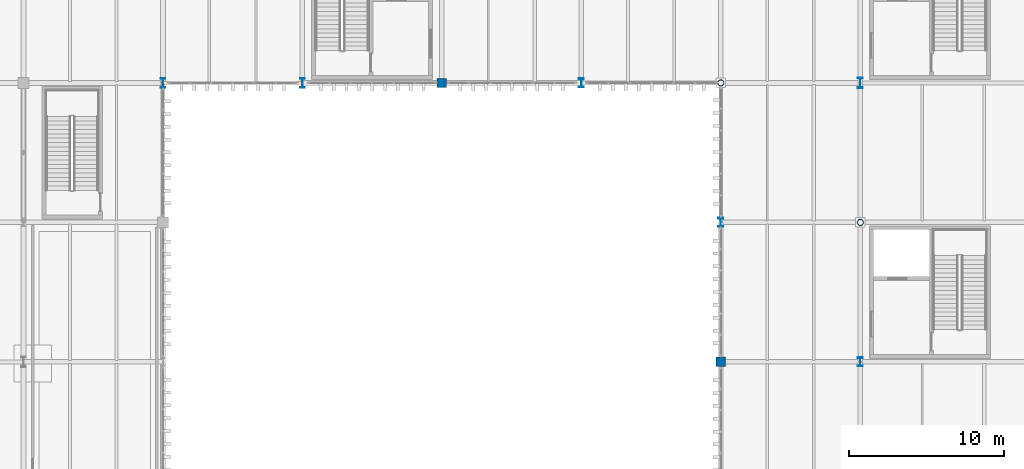
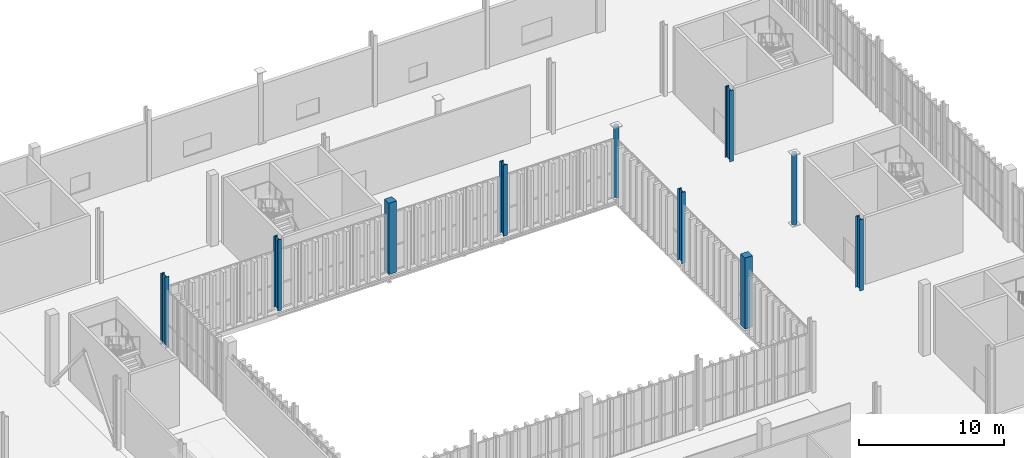
# One storey, part 19 of 211: 10 columns.
"""IFC4 building model written with IfcOpenShell, lengths in metres."""

from ifc_helpers import new_model, si_unit, direction, frame, origin, origin_2d, place, context, subcontext, project, spatial, rectangle, hollow_circle, i_section, extrude, material, material_profile, profile_set, type_object, element, save


model = new_model("IFC4")

# Units and contexts
model_context = context("Model", 3, precision=1e-05, world=origin(), true_north=direction((0.0, 1.0)))
body_context = subcontext(model_context, "Body", "Model", "MODEL_VIEW")
ifc_project = project(units=[si_unit("LENGTHUNIT", "METRE"), si_unit("AREAUNIT", "SQUARE_METRE"), si_unit("VOLUMEUNIT", "CUBIC_METRE"), si_unit("PLANEANGLEUNIT", "RADIAN"), si_unit("MASSUNIT", "GRAM", prefix="KILO")], contexts=[model_context])

# Site, building, storey
site_placement = place(None, origin())
site = spatial("IfcSite", under=ifc_project, at=site_placement, CompositionType="ELEMENT")
building_placement = place(site_placement, origin())
building = spatial("IfcBuilding", under=site, at=building_placement, Name="Barlavento Convention Centre", CompositionType="ELEMENT")
storey_placement = place(building_placement, frame((0.0, 0.0, 6.0)))
storey = spatial("IfcBuildingStorey", under=building, at=storey_placement, Name="L01", CompositionType="ELEMENT", Elevation=6.0)

# Columns
ifc_material_1 = material(Name="Steel S355", Category="steel")
ifc_material_profile_1 = material_profile(ifc_material_1, hollow_circle(Radius=0.203125, WallThickness=0.01611328125, at=origin_2d()), Name="CHS 406.4x16.0")
ifc_profile_set_1 = profile_set([ifc_material_profile_1], Name="Steel S355")
column_type_1 = type_object("IfcColumnType", Name="STR-COL-CHS406", PredefinedType="COLUMN", material=ifc_profile_set_1)
for number, where, z_axis, x_axis, name in (
    (1, (171.0, 90.0, 0.0), (0.0, 0.0, 1.0), (1.0, 0.0, 0.0), "L01 column SC14"),
    (2, (180.0, 81.0, 0.0), (0.0, 0.0, 1.0), (1.0, 0.0, 0.0), "L01 column SC14"),
):
    element("IfcColumn", number, at=place(storey_placement, frame(where, z_axis=z_axis, x_axis=x_axis)), inside=storey, type_object=column_type_1, Name=name, PredefinedType="COLUMN", context=body_context, shape_type="SweptSolid", body=[
        extrude(hollow_circle(Radius=0.203125, WallThickness=0.01611328125, at=origin_2d()), origin(), (0.0, 0.0, 1.0), 6.0),
    ])
ifc_material_profile_2 = material_profile(ifc_material_1, i_section(OverallWidth=0.300048828125, OverallDepth=0.60009765625, WebThickness=0.015380859375, FlangeThickness=0.030029296875, FilletRadius=0.027099609375, at=origin_2d()), Name="HEB 600")
ifc_profile_set_2 = profile_set([ifc_material_profile_2], Name="Steel S355")
column_type_2 = type_object("IfcColumnType", Name="STR-COL-HEB600", PredefinedType="COLUMN", material=ifc_profile_set_2)
column_1_placement = place(storey_placement, frame((144.0, 90.0, 0.0), z_axis=(0.0, 0.0, 1.0), x_axis=(1.0, 0.0, 0.0)))
element("IfcColumn", 3, at=column_1_placement, inside=storey, type_object=column_type_2, Name="L01 column SC08", PredefinedType="COLUMN", context=body_context, shape_type="SweptSolid", body=[
    extrude(i_section(OverallWidth=0.300048828125, OverallDepth=0.60009765625, WebThickness=0.015380859375, FlangeThickness=0.030029296875, FilletRadius=0.027099609375, at=origin_2d()), origin(), (0.0, 0.0, 1.0), 6.0),
])
ifc_material_profile_3 = material_profile(ifc_material_1, i_section(OverallWidth=0.305908203125, OverallDepth=0.572021484375, WebThickness=0.02099609375, FlangeThickness=0.0400390625, FilletRadius=0.027099609375, at=origin_2d()), Name="HEM 550")
ifc_profile_set_3 = profile_set([ifc_material_profile_3], Name="Steel S355")
column_type_3 = type_object("IfcColumnType", Name="STR-COL-HEM550", PredefinedType="COLUMN", material=ifc_profile_set_3)
for number, where, z_axis, x_axis, name in (
    (4, (162.0, 90.0, 0.0), (0.0, 0.0, 1.0), (1.0, 0.0, 0.0), "L01 column SC06"),
    (5, (171.0, 81.0, 0.0), (0.0, 0.0, 1.0), (1.0, 0.0, 0.0), "L01 column SC06"),
    (6, (180.0, 72.0, 0.0), (0.0, 0.0, 1.0), (1.0, 0.0, 0.0), "L01 column SC06"),
):
    element("IfcColumn", number, at=place(storey_placement, frame(where, z_axis=z_axis, x_axis=x_axis)), inside=storey, type_object=column_type_3, Name=name, PredefinedType="COLUMN", context=body_context, shape_type="SweptSolid", body=[
        extrude(i_section(OverallWidth=0.305908203125, OverallDepth=0.572021484375, WebThickness=0.02099609375, FlangeThickness=0.0400390625, FilletRadius=0.027099609375, at=origin_2d()), origin(), (0.0, 0.0, 1.0), 6.0),
    ])
ifc_material_profile_4 = material_profile(ifc_material_1, i_section(OverallWidth=0.304931640625, OverallDepth=0.6201171875, WebThickness=0.02099609375, FlangeThickness=0.0400390625, FilletRadius=0.027099609375, at=origin_2d()), Name="HEM 600")
ifc_profile_set_4 = profile_set([ifc_material_profile_4], Name="Steel S355")
column_type_4 = type_object("IfcColumnType", Name="STR-COL-HEM600", PredefinedType="COLUMN", material=ifc_profile_set_4)
column_2_placement = place(storey_placement, frame((135.0, 90.0, 0.0), z_axis=(0.0, 0.0, 1.0), x_axis=(1.0, 0.0, 0.0)))
element("IfcColumn", 7, at=column_2_placement, inside=storey, type_object=column_type_4, Name="L01 column SC05", PredefinedType="COLUMN", context=body_context, shape_type="SweptSolid", body=[
    extrude(i_section(OverallWidth=0.304931640625, OverallDepth=0.6201171875, WebThickness=0.02099609375, FlangeThickness=0.0400390625, FilletRadius=0.027099609375, at=origin_2d()), origin(), (0.0, 0.0, 1.0), 6.0),
])
ifc_material_2 = material(Name="Steel S460", Category="steel")
ifc_material_profile_5 = material_profile(ifc_material_2, i_section(OverallWidth=0.304931640625, OverallDepth=0.66796875, WebThickness=0.02099609375, FlangeThickness=0.0400390625, FilletRadius=0.027099609375, at=origin_2d()), Name="HEM 650")
ifc_profile_set_5 = profile_set([ifc_material_profile_5], Name="Steel S460")
column_type_5 = type_object("IfcColumnType", Name="STR-COL-HEM650", PredefinedType="COLUMN", material=ifc_profile_set_5)
column_3_placement = place(storey_placement, frame((180.0, 90.0, 0.0), z_axis=(0.0, 0.0, 1.0), x_axis=(1.0, 0.0, 0.0)))
element("IfcColumn", 8, at=column_3_placement, inside=storey, type_object=column_type_5, Name="L01 column SC04", PredefinedType="COLUMN", context=body_context, shape_type="SweptSolid", body=[
    extrude(i_section(OverallWidth=0.304931640625, OverallDepth=0.66796875, WebThickness=0.02099609375, FlangeThickness=0.0400390625, FilletRadius=0.027099609375, at=origin_2d()), origin(), (0.0, 0.0, 1.0), 6.0),
])
ifc_material_3 = material(Name="Concrete C40/50", Category="concrete")
ifc_material_profile_6 = material_profile(ifc_material_3, rectangle(XDim=0.60009765625, YDim=0.60009765625, at=origin_2d()), Name="RC 600x600")
ifc_profile_set_6 = profile_set([ifc_material_profile_6], Name="Concrete C40/50")
column_type_6 = type_object("IfcColumnType", Name="STR-COL-RC600", PredefinedType="COLUMN", material=ifc_profile_set_6)
for number, where, z_axis, x_axis, name in (
    (9, (153.0, 90.0, 0.0), (0.0, 0.0, 1.0), (1.0, 0.0, 0.0), "L01 column CC07"),
    (10, (171.0, 72.0, 0.0), (0.0, 0.0, 1.0), (1.0, 0.0, 0.0), "L01 column CC07"),
):
    element("IfcColumn", number, at=place(storey_placement, frame(where, z_axis=z_axis, x_axis=x_axis)), inside=storey, type_object=column_type_6, Name=name, PredefinedType="COLUMN", context=body_context, shape_type="SweptSolid", body=[
        extrude(rectangle(XDim=0.60009765625, YDim=0.60009765625, at=origin_2d()), origin(), (0.0, 0.0, 1.0), 6.0),
    ])

save(model, "model.ifc")
